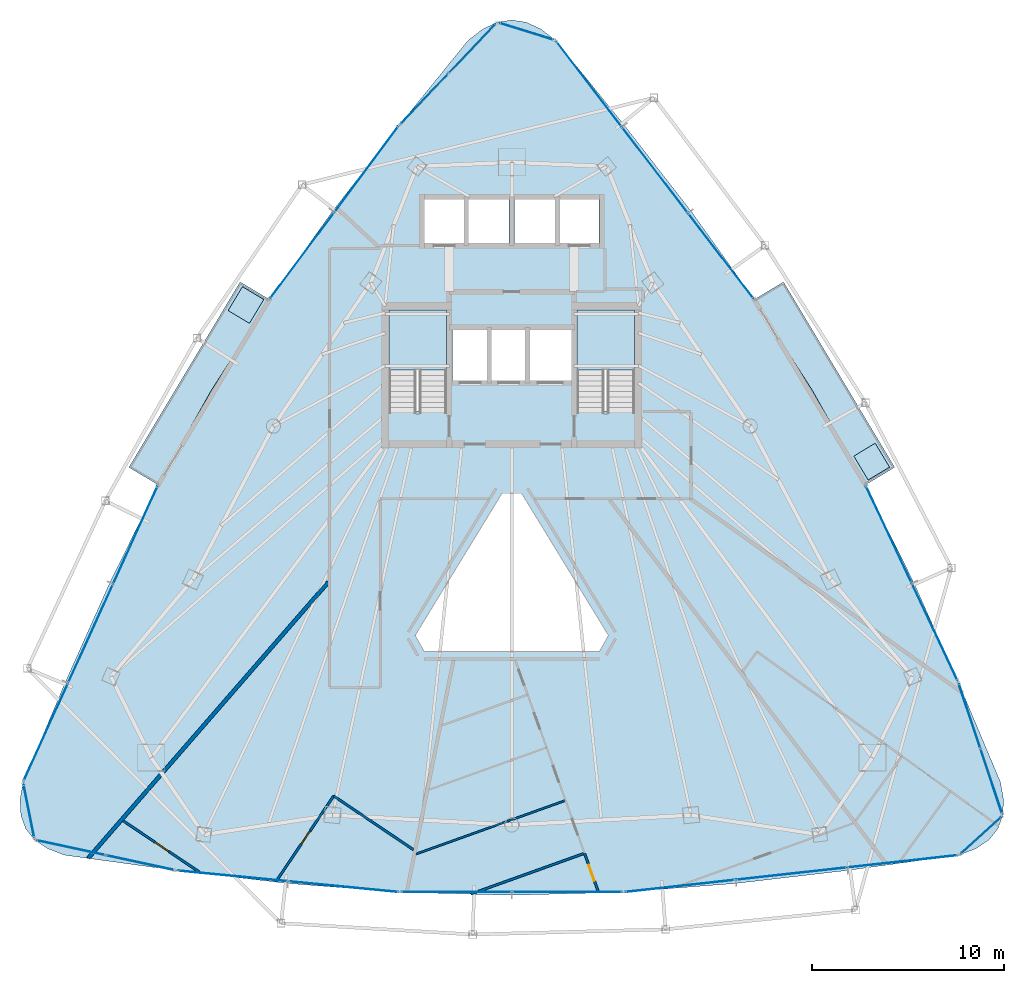
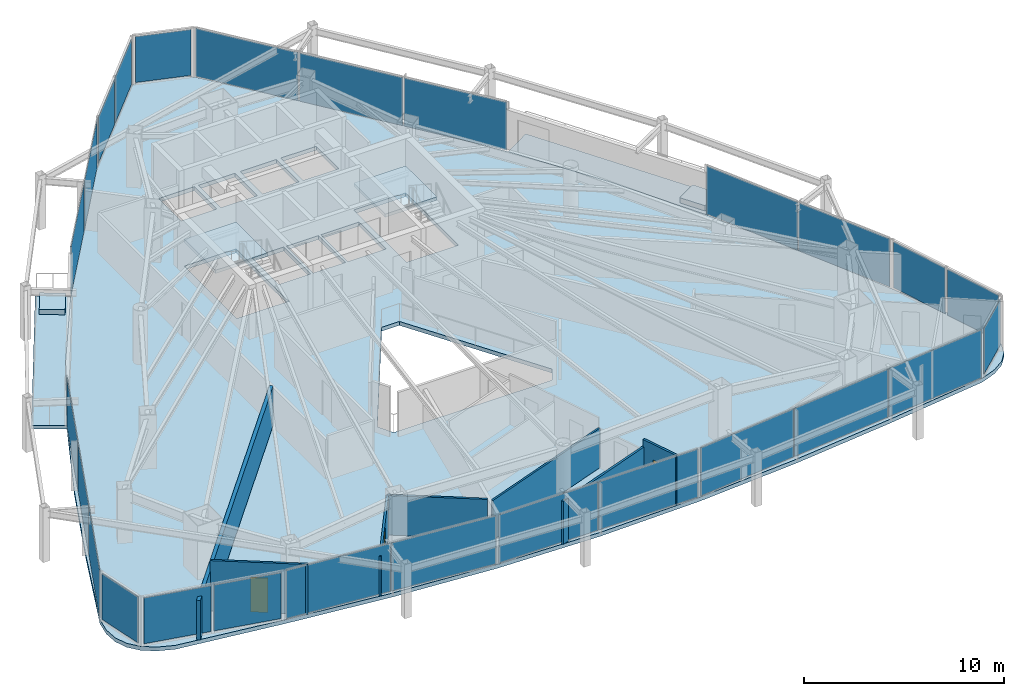
# One storey, part 24 of 30: 26 plates, 7 slabs, 7 walls, 3 doors, 3 openings, 15 elements without a shape of their own.
"""IFC4 building model written with IfcOpenShell, lengths in metres."""

from ifc_helpers import new_model, si_unit, direction, frame, frame_2d, origin, origin_2d, place, context, subcontext, project, spatial, polyline, rectangle, outline, extrude, material, layer, layer_set, type_object, element, fill, aggregate, save


model = new_model("IFC4")

# Units and contexts
model_context = context("Model", 3, precision=1e-05, world=origin(), true_north=direction((0.0, 1.0)))
body_context = subcontext(model_context, "Body", "Model", "MODEL_VIEW")
ifc_project = project(units=[si_unit("LENGTHUNIT", "METRE"), si_unit("AREAUNIT", "SQUARE_METRE"), si_unit("VOLUMEUNIT", "CUBIC_METRE"), si_unit("PLANEANGLEUNIT", "RADIAN"), si_unit("MASSUNIT", "GRAM", prefix="KILO")], contexts=[model_context])

# Site, building, storey
site_placement = place(None, origin())
site = spatial("IfcSite", under=ifc_project, at=site_placement, CompositionType="ELEMENT")
building_placement = place(site_placement, origin())
building = spatial("IfcBuilding", under=site, at=building_placement, Name="Orvanel Arch Residences", CompositionType="ELEMENT")
storey_placement = place(building_placement, frame((0.0, 0.0, 139.699951171875)))
storey = spatial("IfcBuildingStorey", under=building, at=storey_placement, Name="L39", CompositionType="ELEMENT", Elevation=139.699951171875)

# Curtain wall, plates
ifc_material_1 = material(Name="Bronze-anodised aluminium AA6063-T6", Category="aluminium")
ifc_layer_1 = layer(ifc_material_1, 0.179931640625)
ifc_layer_set_1 = layer_set([ifc_layer_1], Name="Bronze-anodised aluminium AA6063-T6")
curtain_wall_type_1 = type_object("IfcCurtainWallType", Name="CW3-MID-SYS", PredefinedType="NOTDEFINED", material=ifc_layer_set_1)
curtain_wall_1_placement = place(storey_placement, origin())
curtain_wall_1 = element("IfcCurtainWall", 1, at=curtain_wall_1_placement, inside=storey, type_object=curtain_wall_type_1, Name="L39 CW3-MID-SYS Unitised Curtain Wall", PredefinedType="NOTDEFINED")
ifc_material_2 = material(Name="Double-glazed solar-control low-E safety glass", Category="glass")
ifc_layer_2 = layer(ifc_material_2, 0.028076171875)
ifc_layer_set_2 = layer_set([ifc_layer_2], Name="Double-glazed solar-control low-E safety glass")
plate_type_1 = type_object("IfcPlateType", Name="PNL-GLZ-28", PredefinedType="CURTAIN_PANEL", material=ifc_layer_set_2)
plate_1_placement = place(storey_placement, frame((25.419677734375, 41.03466796875, 0.06005859375), z_axis=(0.0, 0.0, 1.0), x_axis=(-0.597574003819, -0.801813762641, 0.0)))
plate_1 = element("IfcPlate", 2, at=plate_1_placement, type_object=plate_type_1, Name="CW-S3 panel 1.1", PredefinedType="CURTAIN_PANEL", context=body_context, shape_type="SweptSolid", body=[
    extrude(rectangle(XDim=5.540283203125, YDim=0.028076171875, at=origin_2d()), origin(), (0.0, 0.0, 1.0), 2.93994140625),
])
plate_2_placement = place(storey_placement, frame((22.067138671875, 36.536376953125, 0.06005859375), z_axis=(0.0, 0.0, 1.0), x_axis=(-0.597574003819, -0.801813762641, 0.0)))
plate_2 = element("IfcPlate", 3, at=plate_2_placement, type_object=plate_type_1, Name="CW-S3 panel 2.1", PredefinedType="CURTAIN_PANEL", context=body_context, shape_type="SweptSolid", body=[
    extrude(rectangle(XDim=5.540283203125, YDim=0.028076171875, at=origin_2d()), origin(), (0.0, 0.0, 1.0), 2.93994140625),
])
aggregate(curtain_wall_1, [plate_1, plate_2])

curtain_wall_2_placement = place(storey_placement, origin())
curtain_wall_2 = element("IfcCurtainWall", 4, at=curtain_wall_2_placement, inside=storey, type_object=curtain_wall_type_1, Name="L39 CW3-MID-SYS Unitised Curtain Wall", PredefinedType="NOTDEFINED")
plate_3_placement = place(storey_placement, frame((13.373046875, 21.96533203125, 0.06005859375), z_axis=(0.0, 0.0, 1.0), x_axis=(-0.413621032225, -0.910449142842, 0.0)))
plate_3 = element("IfcPlate", 5, at=plate_3_placement, type_object=plate_type_1, Name="CW-S3 panel 1.1", PredefinedType="CURTAIN_PANEL", context=body_context, shape_type="SweptSolid", body=[
    extrude(rectangle(XDim=5.5556640625, YDim=0.028076171875, at=origin_2d()), origin(), (0.0, 0.0, 1.0), 2.93994140625),
])
plate_4_placement = place(storey_placement, frame((11.0390625, 16.827392578125, 0.06005859375), z_axis=(0.0, 0.0, 1.0), x_axis=(-0.413621032225, -0.910449142842, 0.0)))
plate_4 = element("IfcPlate", 6, at=plate_4_placement, type_object=plate_type_1, Name="CW-S3 panel 2.1", PredefinedType="CURTAIN_PANEL", context=body_context, shape_type="SweptSolid", body=[
    extrude(rectangle(XDim=5.590576171875, YDim=0.028076171875, at=origin_2d()), origin(), (0.0, 0.0, 1.0), 2.93994140625),
])
plate_5_placement = place(storey_placement, frame((8.704833984375, 11.689697265625, 0.06005859375), z_axis=(0.0, 0.0, 1.0), x_axis=(-0.413621032225, -0.910449142842, 0.0)))
plate_5 = element("IfcPlate", 7, at=plate_5_placement, type_object=plate_type_1, Name="CW-S3 panel 3.1", PredefinedType="CURTAIN_PANEL", context=body_context, shape_type="SweptSolid", body=[
    extrude(rectangle(XDim=5.5556640625, YDim=0.028076171875, at=origin_2d()), origin(), (0.0, 0.0, 1.0), 2.93994140625),
])
aggregate(curtain_wall_2, [plate_3, plate_4, plate_5])

curtain_wall_3_placement = place(storey_placement, origin())
curtain_wall_3 = element("IfcCurtainWall", 8, at=curtain_wall_3_placement, inside=storey, type_object=curtain_wall_type_1, Name="L39 CW3-MID-SYS Unitised Curtain Wall", PredefinedType="NOTDEFINED")
plate_6_placement = place(storey_placement, frame((18.449951171875, 4.183349609375, 0.06005859375), z_axis=(0.0, 0.0, 1.0), x_axis=(0.99532295767, -0.096603363992, 0.0)))
plate_6 = element("IfcPlate", 9, at=plate_6_placement, type_object=plate_type_1, Name="CW-S3 panel 1.1", PredefinedType="CURTAIN_PANEL", context=body_context, shape_type="SweptSolid", body=[
    extrude(rectangle(XDim=5.7333984375, YDim=0.028076171875, at=origin_2d()), origin(), (0.0, 0.0, 1.0), 2.93994140625),
])
plate_7_placement = place(storey_placement, frame((24.22607421875, 3.622802734375, 0.06005859375), z_axis=(0.0, 0.0, 1.0), x_axis=(0.99532295767, -0.096603363992, 0.0)))
plate_7 = element("IfcPlate", 10, at=plate_7_placement, type_object=plate_type_1, Name="CW-S3 panel 2.1", PredefinedType="CURTAIN_PANEL", context=body_context, shape_type="SweptSolid", body=[
    extrude(rectangle(XDim=5.7333984375, YDim=0.028076171875, at=origin_2d()), origin(), (0.0, 0.0, 1.0), 2.93994140625),
])
aggregate(curtain_wall_3, [plate_6, plate_7])

curtain_wall_4_placement = place(storey_placement, origin())
curtain_wall_4 = element("IfcCurtainWall", 11, at=curtain_wall_4_placement, inside=storey, type_object=curtain_wall_type_1, Name="L39 CW3-MID-SYS Unitised Curtain Wall", PredefinedType="NOTDEFINED")
plate_8_placement = place(storey_placement, frame((30.112060546875, 3.3369140625, 0.06005859375), z_axis=(0.0, 0.0, 1.0), x_axis=(1.0, 0.0, 0.0)))
plate_8 = element("IfcPlate", 12, at=plate_8_placement, type_object=plate_type_1, Name="CW-S3 panel 1.1", PredefinedType="CURTAIN_PANEL", context=body_context, shape_type="SweptSolid", body=[
    extrude(rectangle(XDim=5.7060546875, YDim=0.028076171875, at=origin_2d()), origin(), (0.0, 0.0, 1.0), 2.93994140625),
])
plate_9_placement = place(storey_placement, frame((35.887939453125, 3.3369140625, 0.06005859375), z_axis=(0.0, 0.0, 1.0), x_axis=(1.0, 0.0, 0.0)))
plate_9 = element("IfcPlate", 13, at=plate_9_placement, type_object=plate_type_1, Name="CW-S3 panel 2.1", PredefinedType="CURTAIN_PANEL", context=body_context, shape_type="SweptSolid", body=[
    extrude(rectangle(XDim=5.7060546875, YDim=0.028076171875, at=origin_2d()), origin(), (0.0, 0.0, 1.0), 2.93994140625),
])
aggregate(curtain_wall_4, [plate_8, plate_9])

curtain_wall_5_placement = place(storey_placement, origin())
curtain_wall_5 = element("IfcCurtainWall", 14, at=curtain_wall_5_placement, inside=storey, type_object=curtain_wall_type_1, Name="L39 CW3-MID-SYS Unitised Curtain Wall", PredefinedType="NOTDEFINED")
plate_10_placement = place(storey_placement, frame((41.77734375, 3.662353515625, 0.06005859375), z_axis=(0.0, 0.0, 1.0), x_axis=(0.993947463376, 0.109856452012, 0.0)))
plate_10 = element("IfcPlate", 15, at=plate_10_placement, type_object=plate_type_1, Name="CW-S3 panel 1.1", PredefinedType="CURTAIN_PANEL", context=body_context, shape_type="SweptSolid", body=[
    extrude(rectangle(XDim=5.748046875, YDim=0.028076171875, at=origin_2d()), origin(), (0.0, 0.0, 1.0), 2.93994140625),
])
plate_11_placement = place(storey_placement, frame((47.577392578125, 4.303466796875, 0.06005859375), z_axis=(0.0, 0.0, 1.0), x_axis=(0.993947463376, 0.109856452012, 0.0)))
plate_11 = element("IfcPlate", 16, at=plate_11_placement, type_object=plate_type_1, Name="CW-S3 panel 2.1", PredefinedType="CURTAIN_PANEL", context=body_context, shape_type="SweptSolid", body=[
    extrude(rectangle(XDim=5.783203125, YDim=0.028076171875, at=origin_2d()), origin(), (0.0, 0.0, 1.0), 2.93994140625),
])
plate_12_placement = place(storey_placement, frame((53.377685546875, 4.944580078125, 0.06005859375), z_axis=(0.0, 0.0, 1.0), x_axis=(0.993947463376, 0.109856452012, 0.0)))
plate_12 = element("IfcPlate", 17, at=plate_12_placement, type_object=plate_type_1, Name="CW-S3 panel 3.1", PredefinedType="CURTAIN_PANEL", context=body_context, shape_type="SweptSolid", body=[
    extrude(rectangle(XDim=5.748046875, YDim=0.028076171875, at=origin_2d()), origin(), (0.0, 0.0, 1.0), 2.93994140625),
])
aggregate(curtain_wall_5, [plate_10, plate_11, plate_12])

curtain_wall_6_placement = place(storey_placement, origin())
curtain_wall_6 = element("IfcCurtainWall", 18, at=curtain_wall_6_placement, inside=storey, type_object=curtain_wall_type_1, Name="L39 CW3-MID-SYS Unitised Curtain Wall", PredefinedType="NOTDEFINED")
plate_13_placement = place(storey_placement, frame((55.050048828125, 16.91259765625, 0.06005859375), z_axis=(0.0, 0.0, 1.0), x_axis=(-0.426010289326, 0.904718317151, 0.0)))
plate_13 = element("IfcPlate", 19, at=plate_13_placement, type_object=plate_type_1, Name="CW-S3 panel 1.1", PredefinedType="CURTAIN_PANEL", context=body_context, shape_type="SweptSolid", body=[
    extrude(rectangle(XDim=5.540283203125, YDim=0.028076171875, at=origin_2d()), origin(), (0.0, 0.0, 1.0), 2.93994140625),
])
plate_14_placement = place(storey_placement, frame((52.659912109375, 21.988525390625, 0.06005859375), z_axis=(0.0, 0.0, 1.0), x_axis=(-0.426010289326, 0.904718317151, 0.0)))
plate_14 = element("IfcPlate", 20, at=plate_14_placement, type_object=plate_type_1, Name="CW-S3 panel 2.1", PredefinedType="CURTAIN_PANEL", context=body_context, shape_type="SweptSolid", body=[
    extrude(rectangle(XDim=5.540283203125, YDim=0.028076171875, at=origin_2d()), origin(), (0.0, 0.0, 1.0), 2.93994140625),
])
aggregate(curtain_wall_6, [plate_13, plate_14])

curtain_wall_7_placement = place(storey_placement, origin())
curtain_wall_7 = element("IfcCurtainWall", 21, at=curtain_wall_7_placement, inside=storey, type_object=curtain_wall_type_1, Name="L39 CW3-MID-SYS Unitised Curtain Wall", PredefinedType="NOTDEFINED")
plate_15_placement = place(storey_placement, frame((43.897216796875, 36.518798828125, 0.06005859375), z_axis=(0.0, 0.0, 1.0), x_axis=(-0.608511901478, 0.793544747169, 0.0)))
plate_15 = element("IfcPlate", 22, at=plate_15_placement, type_object=plate_type_1, Name="CW-S3 panel 1.1", PredefinedType="CURTAIN_PANEL", context=body_context, shape_type="SweptSolid", body=[
    extrude(rectangle(XDim=5.55517578125, YDim=0.028076171875, at=origin_2d()), origin(), (0.0, 0.0, 1.0), 2.93994140625),
])
plate_16_placement = place(storey_placement, frame((40.46337890625, 40.99658203125, 0.06005859375), z_axis=(0.0, 0.0, 1.0), x_axis=(-0.608511901478, 0.793544747169, 0.0)))
plate_16 = element("IfcPlate", 23, at=plate_16_placement, type_object=plate_type_1, Name="CW-S3 panel 2.1", PredefinedType="CURTAIN_PANEL", context=body_context, shape_type="SweptSolid", body=[
    extrude(rectangle(XDim=5.59033203125, YDim=0.028076171875, at=origin_2d()), origin(), (0.0, 0.0, 1.0), 2.93994140625),
])
plate_17_placement = place(storey_placement, frame((37.02978515625, 45.474365234375, 0.06005859375), z_axis=(0.0, 0.0, 1.0), x_axis=(-0.608511901478, 0.793544747169, 0.0)))
plate_17 = element("IfcPlate", 24, at=plate_17_placement, type_object=plate_type_1, Name="CW-S3 panel 3.1", PredefinedType="CURTAIN_PANEL", context=body_context, shape_type="SweptSolid", body=[
    extrude(rectangle(XDim=5.55517578125, YDim=0.028076171875, at=origin_2d()), origin(), (0.0, 0.0, 1.0), 2.93994140625),
])
aggregate(curtain_wall_7, [plate_15, plate_16, plate_17])

# Curtain wall, plate
ifc_layer_3 = layer(ifc_material_1, 0.18994140625)
ifc_layer_set_3 = layer_set([ifc_layer_3], Name="Bronze-anodised aluminium AA6063-T6")
curtain_wall_type_2 = type_object("IfcCurtainWallType", Name="CW5-CRN-SYS", PredefinedType="NOTDEFINED", material=ifc_layer_set_3)
curtain_wall_8_placement = place(storey_placement, origin())
curtain_wall_8 = element("IfcCurtainWall", 25, at=curtain_wall_8_placement, inside=storey, type_object=curtain_wall_type_2, Name="L39 CW5-CRN-SYS Unitised Curtain Wall", PredefinedType="NOTDEFINED")
ifc_layer_4 = layer(ifc_material_2, 0.031982421875)
ifc_layer_set_4 = layer_set([ifc_layer_4], Name="Double-glazed solar-control low-E safety glass")
plate_type_2 = type_object("IfcPlateType", Name="PNL-GLZ-32", PredefinedType="CURTAIN_PANEL", material=ifc_layer_set_4)
plate_18_placement = place(storey_placement, frame((33.761474609375, 48.22412109375, 0.1298828125), z_axis=(0.0, 0.0, 1.0), x_axis=(-0.954868777514, 0.297027974658, 0.0)))
plate_18 = element("IfcPlate", 26, at=plate_18_placement, type_object=plate_type_2, Name="CW-S5 panel 1.1", PredefinedType="CURTAIN_PANEL", context=body_context, shape_type="SweptSolid", body=[
    extrude(rectangle(XDim=2.851318359375, YDim=0.031982421875, at=origin_2d()), origin(), (0.0, 0.0, 1.0), 2.800048828125),
])
aggregate(curtain_wall_8, [plate_18])

# Curtain wall, plates
curtain_wall_9_placement = place(storey_placement, origin())
curtain_wall_9 = element("IfcCurtainWall", 27, at=curtain_wall_9_placement, inside=storey, type_object=curtain_wall_type_2, Name="L39 CW5-CRN-SYS Unitised Curtain Wall", PredefinedType="NOTDEFINED")
plate_19_placement = place(storey_placement, frame((30.927978515625, 47.3212890625, 0.1298828125), z_axis=(0.0, 0.0, 1.0), x_axis=(-0.689184239902, -0.724586146342, 0.0)))
plate_19 = element("IfcPlate", 28, at=plate_19_placement, type_object=plate_type_2, Name="CW-S5 panel 1.1", PredefinedType="CURTAIN_PANEL", context=body_context, shape_type="SweptSolid", body=[
    extrude(rectangle(XDim=3.461181640625, YDim=0.031982421875, at=origin_2d()), origin(), (0.0, 0.0, 1.0), 2.800048828125),
])
plate_20_placement = place(storey_placement, frame((28.439208984375, 44.70458984375, 0.1298828125), z_axis=(0.0, 0.0, 1.0), x_axis=(-0.689184239902, -0.724586146342, 0.0)))
plate_20 = element("IfcPlate", 29, at=plate_20_placement, type_object=plate_type_2, Name="CW-S5 panel 2.1", PredefinedType="CURTAIN_PANEL", context=body_context, shape_type="SweptSolid", body=[
    extrude(rectangle(XDim=3.461181640625, YDim=0.031982421875, at=origin_2d()), origin(), (0.0, 0.0, 1.0), 2.800048828125),
])
aggregate(curtain_wall_9, [plate_19, plate_20])

# Curtain wall, plate
curtain_wall_10_placement = place(storey_placement, origin())
curtain_wall_10 = element("IfcCurtainWall", 30, at=curtain_wall_10_placement, inside=storey, type_object=curtain_wall_type_2, Name="L39 CW5-CRN-SYS Unitised Curtain Wall", PredefinedType="NOTDEFINED")
plate_21_placement = place(storey_placement, frame((7.819580078125, 7.572509765625, 0.1298828125), z_axis=(0.0, 0.0, 1.0), x_axis=(0.195608627675, -0.980682040612, 0.0)))
plate_21 = element("IfcPlate", 31, at=plate_21_placement, type_object=plate_type_2, Name="CW-S5 panel 1.1", PredefinedType="CURTAIN_PANEL", context=body_context, shape_type="SweptSolid", body=[
    extrude(rectangle(XDim=2.7314453125, YDim=0.031982421875, at=origin_2d()), origin(), (0.0, 0.0, 1.0), 2.800048828125),
])
aggregate(curtain_wall_10, [plate_21])

# Curtain wall, plates
curtain_wall_11_placement = place(storey_placement, origin())
curtain_wall_11 = element("IfcCurtainWall", 32, at=curtain_wall_11_placement, inside=storey, type_object=curtain_wall_type_2, Name="L39 CW5-CRN-SYS Unitised Curtain Wall", PredefinedType="NOTDEFINED")
plate_22_placement = place(storey_placement, frame((10.013427734375, 5.65673828125, 0.1298828125), z_axis=(0.0, 0.0, 1.0), x_axis=(0.977401537989, -0.211391186041, 0.0)))
plate_22 = element("IfcPlate", 33, at=plate_22_placement, type_object=plate_type_2, Name="CW-S5 panel 1.1", PredefinedType="CURTAIN_PANEL", context=body_context, shape_type="SweptSolid", body=[
    extrude(rectangle(XDim=3.533447265625, YDim=0.031982421875, at=origin_2d()), origin(), (0.0, 0.0, 1.0), 2.800048828125),
])
plate_23_placement = place(storey_placement, frame((13.613525390625, 4.878173828125, 0.1298828125), z_axis=(0.0, 0.0, 1.0), x_axis=(0.977401537989, -0.211391186041, 0.0)))
plate_23 = element("IfcPlate", 34, at=plate_23_placement, type_object=plate_type_2, Name="CW-S5 panel 2.1", PredefinedType="CURTAIN_PANEL", context=body_context, shape_type="SweptSolid", body=[
    extrude(rectangle(XDim=3.533447265625, YDim=0.031982421875, at=origin_2d()), origin(), (0.0, 0.0, 1.0), 2.800048828125),
])
aggregate(curtain_wall_11, [plate_22, plate_23])

# Curtain wall, plate
curtain_wall_12_placement = place(storey_placement, origin())
curtain_wall_12 = element("IfcCurtainWall", 35, at=curtain_wall_12_placement, inside=storey, type_object=curtain_wall_type_2, Name="L39 CW5-CRN-SYS Unitised Curtain Wall", PredefinedType="NOTDEFINED")
plate_24_placement = place(storey_placement, frame((57.46142578125, 6.302978515625, 0.1298828125), z_axis=(0.0, 0.0, 1.0), x_axis=(0.740089223129, 0.672508692738, 0.0)))
plate_24 = element("IfcPlate", 36, at=plate_24_placement, type_object=plate_type_2, Name="CW-S5 panel 1.1", PredefinedType="CURTAIN_PANEL", context=body_context, shape_type="SweptSolid", body=[
    extrude(rectangle(XDim=2.7333984375, YDim=0.031982421875, at=origin_2d()), origin(), (0.0, 0.0, 1.0), 2.800048828125),
])
aggregate(curtain_wall_12, [plate_24])

# Curtain wall, plates
curtain_wall_13_placement = place(storey_placement, origin())
curtain_wall_13 = element("IfcCurtainWall", 37, at=curtain_wall_13_placement, inside=storey, type_object=curtain_wall_type_2, Name="L39 CW5-CRN-SYS Unitised Curtain Wall", PredefinedType="NOTDEFINED")
plate_25_placement = place(storey_placement, frame((58.001708984375, 9.12841796875, 0.1298828125), z_axis=(0.0, 0.0, 1.0), x_axis=(-0.316350591471, 0.948642347398, 0.0)))
plate_25 = element("IfcPlate", 38, at=plate_25_placement, type_object=plate_type_2, Name="CW-S5 panel 1.1", PredefinedType="CURTAIN_PANEL", context=body_context, shape_type="SweptSolid", body=[
    extrude(rectangle(XDim=3.438720703125, YDim=0.031982421875, at=origin_2d()), origin(), (0.0, 0.0, 1.0), 2.800048828125),
])
plate_26_placement = place(storey_placement, frame((56.866455078125, 12.53271484375, 0.1298828125), z_axis=(0.0, 0.0, 1.0), x_axis=(-0.316350591471, 0.948642347398, 0.0)))
plate_26 = element("IfcPlate", 39, at=plate_26_placement, type_object=plate_type_2, Name="CW-S5 panel 2.1", PredefinedType="CURTAIN_PANEL", context=body_context, shape_type="SweptSolid", body=[
    extrude(rectangle(XDim=3.438720703125, YDim=0.031982421875, at=origin_2d()), origin(), (0.0, 0.0, 1.0), 2.800048828125),
])
aggregate(curtain_wall_13, [plate_25, plate_26])

# Slabs
ifc_material_3 = material(Name="Concrete N40 (40 MPa)", Category="concrete")
ifc_layer_5 = layer(ifc_material_3, 0.215087890625)
ifc_layer_set_5 = layer_set([ifc_layer_5], Name="Concrete N40 (40 MPa)")
slab_type_1 = type_object("IfcSlabType", Name="SLB-BAL-215", PredefinedType="FLOOR", material=ifc_layer_set_5)
slab_1_placement = place(storey_placement, frame((0.0, 0.0, -0.21484375)))
element("IfcSlab", 40, at=slab_1_placement, inside=storey, type_object=slab_type_1, Name="L39 Cantilevered Balcony Slab Face 3", PredefinedType="FLOOR", context=body_context, shape_type="SweptSolid", body=[
    extrude(outline(polyline([(52.967041015625, 25.490966796875), (47.16796875, 35.158935546875), (45.64208984375, 34.242919921875), (48.677978515625, 29.490966796875), (51.44091796875, 24.575927734375), (52.967041015625, 25.490966796875)])), origin(), (0.0, 0.0, 1.0), 0.21484375),
])
slab_2_placement = place(storey_placement, frame((0.0, 0.0, -0.21484375)))
element("IfcSlab", 41, at=slab_2_placement, inside=storey, type_object=slab_type_1, Name="L39 Cantilevered Balcony Slab Face 1", PredefinedType="FLOOR", context=body_context, shape_type="SweptSolid", body=[
    extrude(outline(polyline([(18.83203125, 35.158935546875), (13.032958984375, 25.490966796875), (14.55908203125, 24.575927734375), (17.322021484375, 29.490966796875), (20.35791015625, 34.242919921875), (18.83203125, 35.158935546875)])), origin(), (0.0, 0.0, 1.0), 0.21484375),
])

# Stair, slab
ifc_material_4 = material(Name="Precast concrete N50 (50 MPa)", Category="concrete")
stair_type = type_object("IfcStairType", Name="STR-DOG-184", PredefinedType="USERDEFINED", material=ifc_material_4)
stair_1_placement = place(storey_placement, origin())
stair_1 = element("IfcStair", 42, at=stair_1_placement, inside=storey, type_object=stair_type, Name="L39 Fire-Isolated Core Exit Stair 1", ObjectType="TWO_RETURN_STAIR", PredefinedType="USERDEFINED")
ifc_layer_6 = layer(ifc_material_3, 0.199951171875)
ifc_layer_set_6 = layer_set([ifc_layer_6], Name="Concrete N40 (40 MPa)")
slab_type_2 = type_object("IfcSlabType", Name="SLB-LND-200", PredefinedType="LANDING", material=ifc_layer_set_6)
slab_3_placement = place(storey_placement, frame((0.0, 0.0, 1.449951171875)))
slab_3 = element("IfcSlab", 43, at=slab_3_placement, type_object=slab_type_2, Name="ST-1 landing 1", PredefinedType="LANDING", context=body_context, shape_type="SweptSolid", body=[
    extrude(outline(polyline([(29.60009765625, 30.56005859375), (29.60009765625, 33.699951171875), (26.60009765625, 33.699951171875), (26.60009765625, 30.56005859375), (29.60009765625, 30.56005859375)])), origin(), (0.0, 0.0, 1.0), 0.2001953125),
])
aggregate(stair_1, [slab_3])

stair_2_placement = place(storey_placement, origin())
stair_2 = element("IfcStair", 44, at=stair_2_placement, inside=storey, type_object=stair_type, Name="L39 Fire-Isolated Core Exit Stair 2", ObjectType="TWO_RETURN_STAIR", PredefinedType="USERDEFINED")
slab_4_placement = place(storey_placement, frame((0.0, 0.0, 1.449951171875)))
slab_4 = element("IfcSlab", 45, at=slab_4_placement, type_object=slab_type_2, Name="ST-2 landing 1", PredefinedType="LANDING", context=body_context, shape_type="SweptSolid", body=[
    extrude(outline(polyline([(39.39990234375, 30.56005859375), (39.39990234375, 33.699951171875), (36.39990234375, 33.699951171875), (36.39990234375, 30.56005859375), (39.39990234375, 30.56005859375)])), origin(), (0.0, 0.0, 1.0), 0.2001953125),
])
aggregate(stair_2, [slab_4])

# Slabs
ifc_material_5 = material(Name="Structural architectural precast concrete N40 (40 MPa) planter", Category="concrete")
ifc_layer_7 = layer(ifc_material_5, 0.320068359375)
ifc_layer_set_7 = layer_set([ifc_layer_7], Name="Structural architectural precast concrete N40 (40 MPa) planter")
slab_type_3 = type_object("IfcSlabType", Name="SLB-PLN-320", PredefinedType="USERDEFINED", material=ifc_layer_set_7)
slab_5_placement = place(storey_placement, origin())
element("IfcSlab", 46, at=slab_5_placement, inside=storey, type_object=slab_type_3, Name="L39 Balcony TREE PLANTER Face 3", ObjectType="PLANTER", PredefinedType="USERDEFINED", context=body_context, shape_type="SweptSolid", body=[
    extrude(outline(polyline([(52.693115234375, 25.501953125), (51.947021484375, 26.7451171875), (50.83203125, 26.075927734375), (51.577880859375, 24.8330078125), (52.693115234375, 25.501953125)])), origin(), (0.0, 0.0, 1.0), 0.320068359375),
])
slab_6_placement = place(storey_placement, origin())
element("IfcSlab", 47, at=slab_6_placement, inside=storey, type_object=slab_type_3, Name="L39 Balcony TREE PLANTER Face 1", ObjectType="PLANTER", PredefinedType="USERDEFINED", context=body_context, shape_type="SweptSolid", body=[
    extrude(outline(polyline([(18.951904296875, 34.912109375), (18.2060546875, 33.6689453125), (19.321044921875, 33.0), (20.06689453125, 34.242919921875), (18.951904296875, 34.912109375)])), origin(), (0.0, 0.0, 1.0), 0.320068359375),
])
ifc_layer_8 = layer(ifc_material_3, 0.239990234375)
ifc_layer_set_8 = layer_set([ifc_layer_8], Name="Concrete N40 (40 MPa)")
slab_type_4 = type_object("IfcSlabType", Name="SLB-TYP-240", PredefinedType="FLOOR", material=ifc_layer_set_8)
slab_7_placement = place(storey_placement, frame((0.0, 0.0, -0.239990234375)))
element("IfcSlab", 48, at=slab_7_placement, inside=storey, type_object=slab_type_4, Name="L39 Tower Floor Slab", PredefinedType="FLOOR", context=body_context, shape_type="SweptSolid", body=[
    extrude(outline(polyline([(35.284912109375, 47.75), (34.52294921875, 48.343017578125), (33.761962890625, 48.697998046875), (33.0, 48.81689453125), (32.238037109375, 48.697998046875), (31.47705078125, 48.343017578125), (30.715087890625, 47.75), (27.12890625, 43.327880859375), (23.64697265625, 38.843994140625), (20.35791015625, 34.242919921875), (17.322021484375, 29.490966796875), (14.55908203125, 24.575927734375), (12.049072265625, 19.508056640625), (9.73193359375, 14.324951171875), (7.51904296875, 9.0791015625), (7.35498046875, 8.14794921875), (7.40087890625, 7.3359375), (7.655029296875, 6.64208984375), (8.1201171875, 6.06591796875), (8.79296875, 5.60888671875), (9.676025390625, 5.27001953125), (15.507080078125, 4.468994140625), (21.337890625, 3.791015625), (27.1689453125, 3.3369140625), (33.0, 3.177978515625), (38.8310546875, 3.3369140625), (44.662109375, 3.791015625), (50.492919921875, 4.468994140625), (56.323974609375, 5.27001953125), (57.20703125, 5.60888671875), (57.8798828125, 6.06591796875), (58.343994140625, 6.64208984375), (58.59912109375, 7.3359375), (58.64501953125, 8.14794921875), (58.48095703125, 9.0791015625), (56.26904296875, 14.324951171875), (53.950927734375, 19.508056640625), (51.44091796875, 24.575927734375), (48.677978515625, 29.490966796875), (45.64208984375, 34.242919921875), (42.35302734375, 38.843994140625), (38.87109375, 43.327880859375), (35.284912109375, 47.75)]), holes=[polyline([(26.60009765625, 28.429931640625), (26.60009765625, 33.699951171875), (29.60009765625, 33.699951171875), (29.60009765625, 28.429931640625), (26.60009765625, 28.429931640625)]), polyline([(36.39990234375, 28.429931640625), (36.39990234375, 33.699951171875), (39.39990234375, 33.699951171875), (39.39990234375, 28.429931640625), (36.39990234375, 28.429931640625)]), polyline([(29.89990234375, 32.64990234375), (31.75, 32.64990234375), (31.75, 29.949951171875), (29.89990234375, 29.949951171875), (29.89990234375, 32.64990234375)]), polyline([(31.89990234375, 32.64990234375), (33.75, 32.64990234375), (33.75, 29.949951171875), (31.89990234375, 29.949951171875), (31.89990234375, 32.64990234375)]), polyline([(33.89990234375, 32.64990234375), (36.10009765625, 32.64990234375), (36.10009765625, 29.949951171875), (33.89990234375, 29.949951171875), (33.89990234375, 32.64990234375)]), polyline([(28.449951171875, 39.449951171875), (30.5, 39.449951171875), (30.5, 37.199951171875), (28.449951171875, 37.199951171875), (28.449951171875, 39.449951171875)]), polyline([(35.5, 39.449951171875), (37.550048828125, 39.449951171875), (37.550048828125, 37.199951171875), (35.5, 37.199951171875), (35.5, 39.449951171875)]), polyline([(30.75, 39.449951171875), (32.85009765625, 39.449951171875), (32.85009765625, 37.199951171875), (30.75, 37.199951171875), (30.75, 39.449951171875)]), polyline([(33.14990234375, 39.449951171875), (35.25, 39.449951171875), (35.25, 37.199951171875), (33.14990234375, 37.199951171875), (33.14990234375, 39.449951171875)]), polyline([(38.0419921875, 16.72705078125), (37.573974609375, 15.89111328125), (28.426025390625, 15.89111328125), (27.9580078125, 16.72705078125), (32.489013671875, 24.138916015625), (33.510986328125, 24.138916015625), (38.0419921875, 16.72705078125)])]), origin(), (0.0, 0.0, 1.0), 0.239990234375),
])

# Walls
ifc_material_6 = material(Name="Fire-rated plasterboard lined steel stud partition", Category="steel")
ifc_layer_9 = layer(ifc_material_6, 0.199951171875)
ifc_layer_set_9 = layer_set([ifc_layer_9], Name="Fire-rated plasterboard lined steel stud partition")
wall_type_1 = type_object("IfcWallType", Name="W-DEM-200", PredefinedType="PARTITIONING", material=ifc_layer_set_9)
wall_1_placement = place(storey_placement, frame((23.43994140625, 19.511962890625, 0.0), z_axis=(0.0, 0.0, 1.0), x_axis=(-0.656359216658, -0.754448526215, 0.0)))
element("IfcWall", 49, at=wall_1_placement, inside=storey, type_object=wall_type_1, Name="L39 Inter-Tenancy Acoustic Demising Wall", PredefinedType="PARTITIONING", context=body_context, shape_type="SweptSolid", body=[
    extrude(rectangle(XDim=19.08544921875, YDim=0.199951171875, at=frame_2d((9.542724609375, 0.0))), origin(), (0.0, 0.0, 1.0), 2.4130859375),
])
ifc_material_7 = material(Name="Acoustic plasterboard lined twin-stud partition", Category="gypsum")
ifc_layer_10 = layer(ifc_material_7, 0.10009765625)
ifc_layer_set_10 = layer_set([ifc_layer_10], Name="Acoustic plasterboard lined twin-stud partition")
wall_type_2 = type_object("IfcWallType", Name="W-INT-100", PredefinedType="PARTITIONING", material=ifc_layer_set_10)
wall_2_placement = place(storey_placement, frame((28.008056640625, 5.327880859375, 0.0), z_axis=(0.0, 0.0, 1.0), x_axis=(0.941323677897, 0.337505160599, 0.0)))
element("IfcWall", 50, at=wall_2_placement, inside=storey, type_object=wall_type_2, Name="L39 Flat A Internal Partition", PredefinedType="PARTITIONING", context=body_context, shape_type="SweptSolid", body=[
    extrude(rectangle(XDim=8.28173828125, YDim=0.10009765625, at=frame_2d((4.140869140625, 0.0))), origin(), (0.0, 0.0, 1.0), 2.4130859375),
])

# Wall, opening, door
ifc_layer_11 = layer(ifc_material_7, 0.1201171875)
ifc_layer_set_11 = layer_set([ifc_layer_11], Name="Acoustic plasterboard lined twin-stud partition")
wall_type_3 = type_object("IfcWallType", Name="W-WET-120", PredefinedType="PARTITIONING", material=ifc_layer_set_11)
wall_3_placement = place(storey_placement, frame((37.527099609375, 3.31494140625, 0.0), z_axis=(0.0, 0.0, 1.0), x_axis=(-0.337393850622, 0.9413635799, 0.0)))
wall_3 = element("IfcWall", 51, at=wall_3_placement, inside=storey, type_object=wall_type_3, Name="L39 Flat A Internal Partition", PredefinedType="PARTITIONING", context=body_context, shape_type="SweptSolid", body=[
    extrude(rectangle(XDim=2.1787109375, YDim=0.1201171875, at=frame_2d((1.08935546875, 0.0))), origin(), (0.0, 0.0, 1.0), 3.06005859375),
])
opening_1_placement = place(wall_3_placement, frame((0.64892578125, 0.0, 0.0)))
opening_1 = element("IfcOpeningElement", 52, at=opening_1_placement, cuts=wall_3, Name="Opening DI-088", PredefinedType="OPENING", context=body_context, shape_type="SweptSolid", body=[
    extrude(rectangle(XDim=0.8798828125, YDim=2.10009765625, at=frame_2d((0.43994140625, 1.050048828125))), frame((0.0, 0.070068359375, 0.0), z_axis=(0.0, -1.0, 0.0), x_axis=(1.0, 0.0, 0.0)), (0.0, 0.0, 1.0), 0.14013671875),
])
ifc_material_8 = material(Name="Solid-core European oak veneer fire door leaf", Category="wood")
door_type_1 = type_object("IfcDoorType", Name="DR-INT-880", OperationType="NOTDEFINED", PredefinedType="DOOR", material=ifc_material_8)
door_1_placement = place(opening_1_placement, origin())
door_1 = element("IfcDoor", 53, at=door_1_placement, inside=storey, type_object=door_type_1, Name="DR-L39-A-KIT L39 Flat A Kitchen Door", OperationType="SINGLE_SWING_LEFT", OverallHeight=2.10009765625, OverallWidth=0.8798828125, PredefinedType="DOOR", context=body_context, shape_type="SweptSolid", body=[
    extrude(rectangle(XDim=0.8798828125, YDim=2.10009765625, at=frame_2d((0.43994140625, 1.050048828125))), frame((0.0, 0.02490234375, 0.0), z_axis=(0.0, -1.0, 0.0), x_axis=(1.0, 0.0, 0.0)), (0.0, 0.0, 1.0), 0.050048828125),
])
fill(opening_1, door_1)

# Walls
wall_4_placement = place(storey_placement, frame((30.864990234375, 3.240966796875, 0.0), z_axis=(0.0, 0.0, 1.0), x_axis=(0.941328015911, 0.337493061354, 0.0)))
element("IfcWall", 54, at=wall_4_placement, inside=storey, type_object=wall_type_3, Name="L39 Flat A Internal Partition", PredefinedType="PARTITIONING", context=body_context, shape_type="SweptSolid", body=[
    extrude(rectangle(XDim=6.29638671875, YDim=0.1201171875, at=frame_2d((3.148193359375, 0.0))), origin(), (0.0, 0.0, 1.0), 2.619140625),
])
wall_5_placement = place(storey_placement, frame((27.87890625, 5.548095703125, 0.0), z_axis=(0.0, 0.0, 1.0), x_axis=(-0.829629274352, 0.558314666777, 0.0)))
element("IfcWall", 55, at=wall_5_placement, inside=storey, type_object=wall_type_3, Name="L39 Studio D Bathroom Partition", PredefinedType="PARTITIONING", context=body_context, shape_type="SweptSolid", body=[
    extrude(rectangle(XDim=5.02734375, YDim=0.1201171875, at=frame_2d((2.513671875, 0.0))), origin(), (0.0, 0.0, 1.0), 2.4130859375),
])

# Wall, opening, door
wall_6_placement = place(storey_placement, frame((23.7080078125, 8.35498046875, 0.0), z_axis=(0.0, 0.0, 1.0), x_axis=(-0.55815233332, -0.829738496642, 0.0)))
wall_6 = element("IfcWall", 56, at=wall_6_placement, inside=storey, type_object=wall_type_3, Name="L39 Studio D Bathroom Partition", PredefinedType="PARTITIONING", context=body_context, shape_type="SweptSolid", body=[
    extrude(rectangle(XDim=5.39453125, YDim=0.1201171875, at=frame_2d((2.697265625, 0.0))), origin(), (0.0, 0.0, 1.0), 2.4130859375),
])
opening_2_placement = place(wall_6_placement, frame((2.18994140625, 0.0, 0.0)))
opening_2 = element("IfcOpeningElement", 57, at=opening_2_placement, cuts=wall_6, Name="Opening DW-082", PredefinedType="OPENING", context=body_context, shape_type="SweptSolid", body=[
    extrude(rectangle(XDim=0.820068359375, YDim=2.10009765625, at=frame_2d((0.41015625, 1.050048828125))), frame((0.0, 0.070068359375, 0.0), z_axis=(0.0, -1.0, 0.0), x_axis=(1.0, 0.0, 0.0)), (0.0, 0.0, 1.0), 0.14013671875),
])
door_type_2 = type_object("IfcDoorType", Name="DR-WET-820", OperationType="NOTDEFINED", PredefinedType="DOOR", material=ifc_material_8)
door_2_placement = place(opening_2_placement, origin())
door_2 = element("IfcDoor", 58, at=door_2_placement, inside=storey, type_object=door_type_2, Name="DR-L39-D-BATH L39 Studio D Bathroom Door", OperationType="SINGLE_SWING_RIGHT", OverallHeight=2.10009765625, OverallWidth=0.820068359375, PredefinedType="DOOR", context=body_context, shape_type="SweptSolid", body=[
    extrude(rectangle(XDim=0.820068359375, YDim=2.10009765625, at=frame_2d((0.41015625, 1.050048828125))), frame((0.0, 0.02490234375, 0.0), z_axis=(0.0, -1.0, 0.0), x_axis=(1.0, 0.0, 0.0)), (0.0, 0.0, 1.0), 0.050048828125),
])
fill(opening_2, door_2)

wall_7_placement = place(storey_placement, frame((16.800048828125, 4.325927734375, 0.0), z_axis=(0.0, 0.0, 1.0), x_axis=(-0.829756434678, 0.558125666056, 0.0)))
wall_7 = element("IfcWall", 59, at=wall_7_placement, inside=storey, type_object=wall_type_3, Name="L39 Studio D Internal Partition", PredefinedType="PARTITIONING", context=body_context, shape_type="SweptSolid", body=[
    extrude(rectangle(XDim=4.9111328125, YDim=0.1201171875, at=frame_2d((2.45556640625, 0.0))), origin(), (0.0, 0.0, 1.0), 3.06005859375),
])
opening_3_placement = place(wall_7_placement, frame((2.01611328125, 0.0, 0.0)))
opening_3 = element("IfcOpeningElement", 60, at=opening_3_placement, cuts=wall_7, Name="Opening DI-088", PredefinedType="OPENING", context=body_context, shape_type="SweptSolid", body=[
    extrude(rectangle(XDim=0.8798828125, YDim=2.10009765625, at=frame_2d((0.43994140625, 1.050048828125))), frame((0.0, 0.070068359375, 0.0), z_axis=(0.0, -1.0, 0.0), x_axis=(1.0, 0.0, 0.0)), (0.0, 0.0, 1.0), 0.14013671875),
])
door_3_placement = place(opening_3_placement, origin())
door_3 = element("IfcDoor", 61, at=door_3_placement, inside=storey, type_object=door_type_1, Name="DR-L39-D-KIT L39 Studio D Kitchenette Door", OperationType="SINGLE_SWING_LEFT", OverallHeight=2.10009765625, OverallWidth=0.8798828125, PredefinedType="DOOR", context=body_context, shape_type="SweptSolid", body=[
    extrude(rectangle(XDim=0.8798828125, YDim=2.10009765625, at=frame_2d((0.43994140625, 1.050048828125))), frame((0.0, 0.02490234375, 0.0), z_axis=(0.0, -1.0, 0.0), x_axis=(1.0, 0.0, 0.0)), (0.0, 0.0, 1.0), 0.050048828125),
])
fill(opening_3, door_3)

save(model, "model.ifc")
